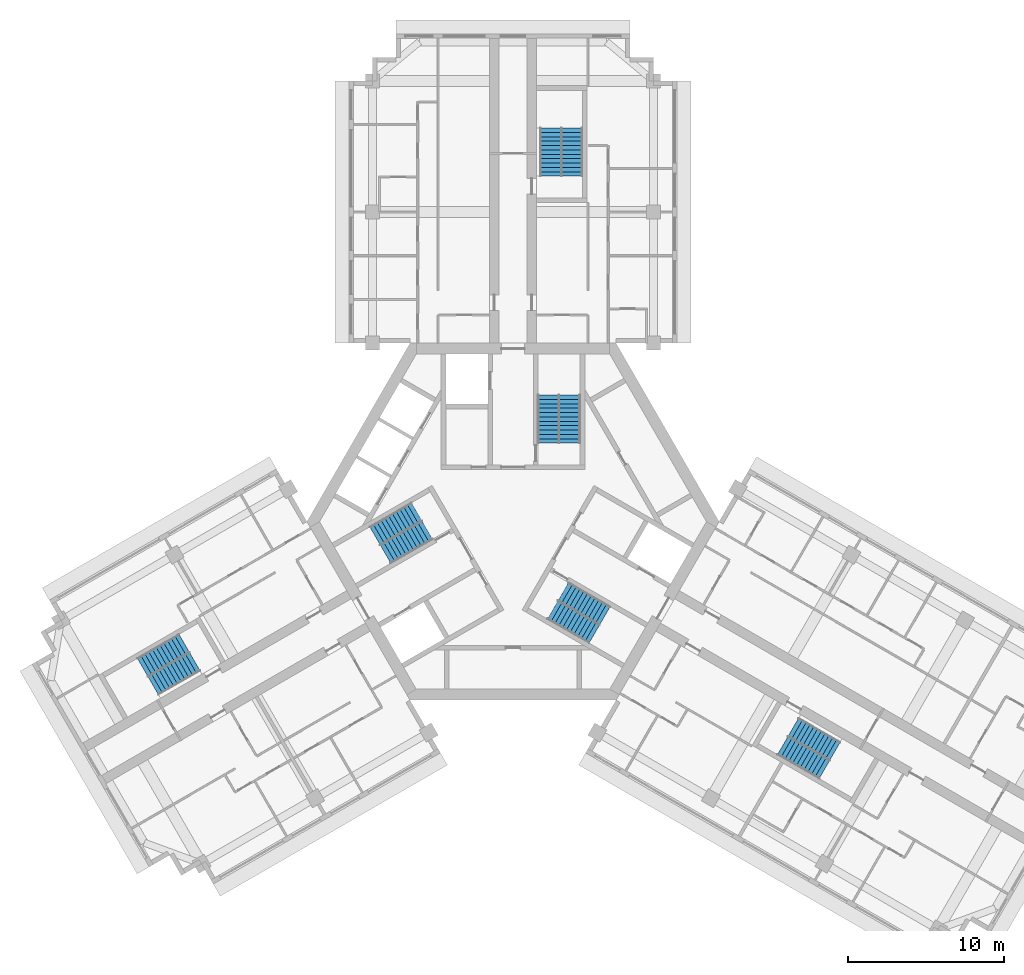
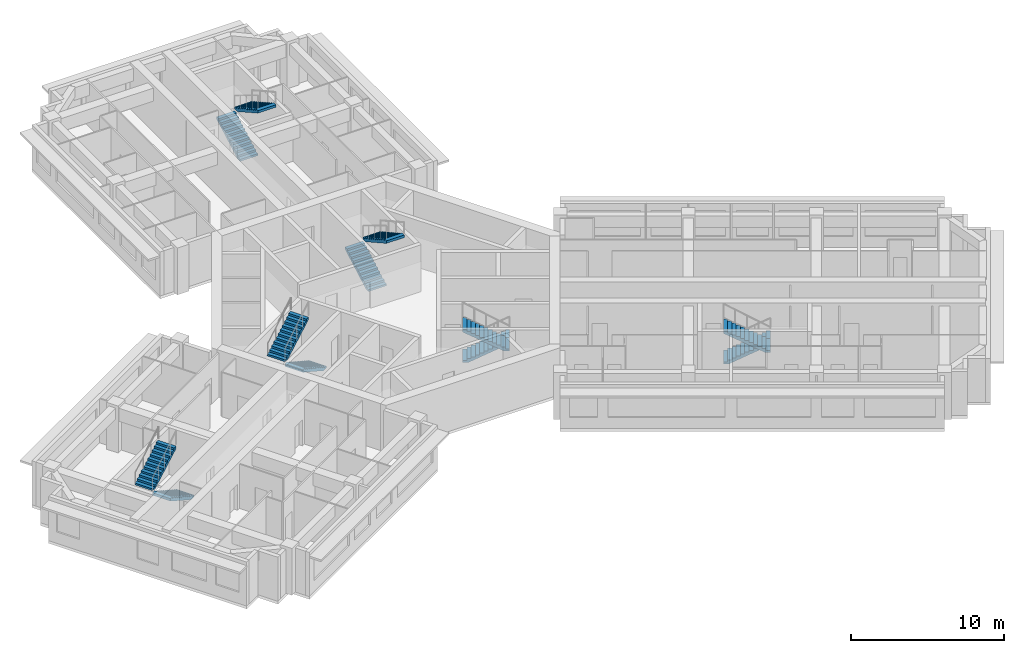
# One storey, part 9 of 10: 12 stair flights, 6 elements without a shape of their own.
"""IFC4 building model written with IfcOpenShell, lengths in metres."""

from ifc_helpers import new_model, si_unit, direction, frame, origin, place, context, subcontext, project, spatial, polyline, outline, extrude, material, type_object, element, aggregate, save


model = new_model("IFC4")

# Units and contexts
model_context = context("Model", 3, precision=1e-05, world=origin(), true_north=direction((0.0, 1.0)))
body_context = subcontext(model_context, "Body", "Model", "MODEL_VIEW")
ifc_project = project(units=[si_unit("LENGTHUNIT", "METRE"), si_unit("AREAUNIT", "SQUARE_METRE"), si_unit("VOLUMEUNIT", "CUBIC_METRE"), si_unit("PLANEANGLEUNIT", "RADIAN"), si_unit("MASSUNIT", "GRAM", prefix="KILO")], contexts=[model_context])

# Site, building, storey
site_placement = place(None, origin())
site = spatial("IfcSite", under=ifc_project, at=site_placement, CompositionType="ELEMENT")
building_placement = place(site_placement, origin())
building = spatial("IfcBuilding", under=site, at=building_placement, Name="Impinga Residences", CompositionType="ELEMENT")
storey_placement = place(building_placement, frame((0.0, 0.0, 233.5)))
storey = spatial("IfcBuildingStorey", under=building, at=storey_placement, Name="L58", CompositionType="ELEMENT", Elevation=233.5)

# Stair, stair flights
ifc_material = material(Name="Concrete C40/50", Category="concrete")
stair_type_1 = type_object("IfcStairType", Name="STR core stair 3750 storey, 24 risers", PredefinedType="HALF_TURN_STAIR", material=ifc_material)
stair_1_placement = place(storey_placement, origin())
stair_1 = element("IfcStair", 1, at=stair_1_placement, inside=storey, type_object=stair_type_1, Name="Stair ST1 L58", PredefinedType="HALF_TURN_STAIR")
stair_flight_type = type_object("IfcStairFlightType", Name="SF 12 risers of 156", PredefinedType="STRAIGHT", material=ifc_material)
stair_flight_1_placement = place(storey_placement, frame((2.27490234375, 5.030029296875, 0.0), z_axis=(0.0, 0.0, 1.0), x_axis=(0.0, 1.0, 0.0)))
stair_flight_1 = element("IfcStairFlight", 2, at=stair_flight_1_placement, type_object=stair_flight_type, Name="ST1 flight 1", NumberOfRisers=12, NumberOfTreads=11, PredefinedType="STRAIGHT", RiserHeight=0.15625, TreadLength=0.28, context=body_context, shape_type="SweptSolid", body=[
    extrude(outline(polyline([(0.0, 0.0), (0.0, 0.15625), (0.280029296875, 0.15625), (0.280029296875, 0.3125), (0.56005859375, 0.3125), (0.56005859375, 0.46875), (0.840087890625, 0.46875), (0.840087890625, 0.625), (1.1201171875, 0.625), (1.1201171875, 0.78125), (1.39990234375, 0.78125), (1.39990234375, 0.9375), (1.679931640625, 0.9375), (1.679931640625, 1.09375), (1.9599609375, 1.09375), (1.9599609375, 1.25), (2.239990234375, 1.25), (2.239990234375, 1.40625), (2.52001953125, 1.40625), (2.52001953125, 1.5625), (2.800048828125, 1.5625), (2.800048828125, 1.71875), (3.080078125, 1.71875), (3.080078125, 1.875), (3.080078125, 1.5126953125), (0.369140625, 0.0), (0.0, 0.0)])), frame((0.0, 0.675048828125, 0.0), z_axis=(0.0, -1.0, 0.0), x_axis=(1.0, 0.0, 0.0)), (0.0, 0.0, 1.0), 1.35009765625),
])
stair_flight_2_placement = place(storey_placement, frame((3.625, 8.110107421875, 1.875), z_axis=(0.0, 0.0, 1.0), x_axis=(0.0, -1.0, 0.0)))
stair_flight_2 = element("IfcStairFlight", 3, at=stair_flight_2_placement, type_object=stair_flight_type, Name="ST1 flight 2", NumberOfRisers=12, NumberOfTreads=11, PredefinedType="STRAIGHT", RiserHeight=0.15625, TreadLength=0.28, context=body_context, shape_type="SweptSolid", body=[
    extrude(outline(polyline([(0.0, 0.0), (0.0, 0.15625), (0.280029296875, 0.15625), (0.280029296875, 0.3125), (0.56005859375, 0.3125), (0.56005859375, 0.46875), (0.840087890625, 0.46875), (0.840087890625, 0.625), (1.1201171875, 0.625), (1.1201171875, 0.78125), (1.39990234375, 0.78125), (1.39990234375, 0.9375), (1.679931640625, 0.9375), (1.679931640625, 1.09375), (1.9599609375, 1.09375), (1.9599609375, 1.25), (2.239990234375, 1.25), (2.239990234375, 1.40625), (2.52001953125, 1.40625), (2.52001953125, 1.5625), (2.800048828125, 1.5625), (2.800048828125, 1.71875), (3.080078125, 1.71875), (3.080078125, 1.875), (3.080078125, 1.5126953125), (0.369140625, 0.0), (0.0, 0.0)])), frame((0.0, 0.675048828125, 0.0), z_axis=(0.0, -1.0, 0.0), x_axis=(1.0, 0.0, 0.0)), (0.0, 0.0, 1.0), 1.35009765625),
])
aggregate(stair_1, [stair_flight_1, stair_flight_2])

stair_2_placement = place(storey_placement, origin())
stair_2 = element("IfcStair", 4, at=stair_2_placement, inside=storey, type_object=stair_type_1, Name="Stair ST2 L58", PredefinedType="HALF_TURN_STAIR")
stair_flight_3_placement = place(storey_placement, frame((-5.49365234375, -0.544677734375, 0.0), z_axis=(0.0, 0.0, 1.0), x_axis=(-0.866025403784, -0.5, 0.0)))
stair_flight_3 = element("IfcStairFlight", 5, at=stair_flight_3_placement, type_object=stair_flight_type, Name="ST2 flight 1", NumberOfRisers=12, NumberOfTreads=11, PredefinedType="STRAIGHT", RiserHeight=0.15625, TreadLength=0.28, context=body_context, shape_type="SweptSolid", body=[
    extrude(outline(polyline([(0.0, 0.0), (0.0, 0.15625), (0.280029296875, 0.15625), (0.280029296875, 0.3125), (0.56005859375, 0.3125), (0.56005859375, 0.46875), (0.840087890625, 0.46875), (0.840087890625, 0.625), (1.1201171875, 0.625), (1.1201171875, 0.78125), (1.39990234375, 0.78125), (1.39990234375, 0.9375), (1.679931640625, 0.9375), (1.679931640625, 1.09375), (1.9599609375, 1.09375), (1.9599609375, 1.25), (2.239990234375, 1.25), (2.239990234375, 1.40625), (2.52001953125, 1.40625), (2.52001953125, 1.5625), (2.800048828125, 1.5625), (2.800048828125, 1.71875), (3.080078125, 1.71875), (3.080078125, 1.875), (3.080078125, 1.5126953125), (0.369140625, 0.0), (0.0, 0.0)])), frame((0.0, 0.675048828125, 0.0), z_axis=(0.0, -1.0, 0.0), x_axis=(1.0, 0.0, 0.0)), (0.0, 0.0, 1.0), 1.35009765625),
])
stair_flight_4_placement = place(storey_placement, frame((-8.8359375, -0.915771484375, 1.875), z_axis=(0.0, 0.0, 1.0), x_axis=(0.866025403784, 0.5, 0.0)))
stair_flight_4 = element("IfcStairFlight", 6, at=stair_flight_4_placement, type_object=stair_flight_type, Name="ST2 flight 2", NumberOfRisers=12, NumberOfTreads=11, PredefinedType="STRAIGHT", RiserHeight=0.15625, TreadLength=0.28, context=body_context, shape_type="SweptSolid", body=[
    extrude(outline(polyline([(0.0, 0.0), (0.0, 0.15625), (0.280029296875, 0.15625), (0.280029296875, 0.3125), (0.56005859375, 0.3125), (0.56005859375, 0.46875), (0.840087890625, 0.46875), (0.840087890625, 0.625), (1.1201171875, 0.625), (1.1201171875, 0.78125), (1.39990234375, 0.78125), (1.39990234375, 0.9375), (1.679931640625, 0.9375), (1.679931640625, 1.09375), (1.9599609375, 1.09375), (1.9599609375, 1.25), (2.239990234375, 1.25), (2.239990234375, 1.40625), (2.52001953125, 1.40625), (2.52001953125, 1.5625), (2.800048828125, 1.5625), (2.800048828125, 1.71875), (3.080078125, 1.71875), (3.080078125, 1.875), (3.080078125, 1.5126953125), (0.369140625, 0.0), (0.0, 0.0)])), frame((0.0, 0.675048828125, 0.0), z_axis=(0.0, -1.0, 0.0), x_axis=(1.0, 0.0, 0.0)), (0.0, 0.0, 1.0), 1.35009765625),
])
aggregate(stair_2, [stair_flight_3, stair_flight_4])

stair_3_placement = place(storey_placement, origin())
stair_3 = element("IfcStair", 7, at=stair_3_placement, inside=storey, type_object=stair_type_1, Name="Stair ST3 L58", PredefinedType="HALF_TURN_STAIR")
stair_flight_5_placement = place(storey_placement, frame((3.218505859375, -4.485107421875, 0.0), z_axis=(0.0, 0.0, 1.0), x_axis=(0.866025403784, -0.5, 0.0)))
stair_flight_5 = element("IfcStairFlight", 8, at=stair_flight_5_placement, type_object=stair_flight_type, Name="ST3 flight 1", NumberOfRisers=12, NumberOfTreads=11, PredefinedType="STRAIGHT", RiserHeight=0.15625, TreadLength=0.28, context=body_context, shape_type="SweptSolid", body=[
    extrude(outline(polyline([(0.0, 0.0), (0.0, 0.15625), (0.280029296875, 0.15625), (0.280029296875, 0.3125), (0.56005859375, 0.3125), (0.56005859375, 0.46875), (0.840087890625, 0.46875), (0.840087890625, 0.625), (1.1201171875, 0.625), (1.1201171875, 0.78125), (1.39990234375, 0.78125), (1.39990234375, 0.9375), (1.679931640625, 0.9375), (1.679931640625, 1.09375), (1.9599609375, 1.09375), (1.9599609375, 1.25), (2.239990234375, 1.25), (2.239990234375, 1.40625), (2.52001953125, 1.40625), (2.52001953125, 1.5625), (2.800048828125, 1.5625), (2.800048828125, 1.71875), (3.080078125, 1.71875), (3.080078125, 1.875), (3.080078125, 1.5126953125), (0.369140625, 0.0), (0.0, 0.0)])), frame((0.0, 0.675048828125, 0.0), z_axis=(0.0, -1.0, 0.0), x_axis=(1.0, 0.0, 0.0)), (0.0, 0.0, 1.0), 1.35009765625),
])
stair_flight_6_placement = place(storey_placement, frame((5.2109375, -7.1943359375, 1.875), z_axis=(0.0, 0.0, 1.0), x_axis=(-0.866025403784, 0.5, 0.0)))
stair_flight_6 = element("IfcStairFlight", 9, at=stair_flight_6_placement, type_object=stair_flight_type, Name="ST3 flight 2", NumberOfRisers=12, NumberOfTreads=11, PredefinedType="STRAIGHT", RiserHeight=0.15625, TreadLength=0.28, context=body_context, shape_type="SweptSolid", body=[
    extrude(outline(polyline([(0.0, 0.0), (0.0, 0.15625), (0.280029296875, 0.15625), (0.280029296875, 0.3125), (0.56005859375, 0.3125), (0.56005859375, 0.46875), (0.840087890625, 0.46875), (0.840087890625, 0.625), (1.1201171875, 0.625), (1.1201171875, 0.78125), (1.39990234375, 0.78125), (1.39990234375, 0.9375), (1.679931640625, 0.9375), (1.679931640625, 1.09375), (1.9599609375, 1.09375), (1.9599609375, 1.25), (2.239990234375, 1.25), (2.239990234375, 1.40625), (2.52001953125, 1.40625), (2.52001953125, 1.5625), (2.800048828125, 1.5625), (2.800048828125, 1.71875), (3.080078125, 1.71875), (3.080078125, 1.875), (3.080078125, 1.5126953125), (0.369140625, 0.0), (0.0, 0.0)])), frame((0.0, 0.675048828125, 0.0), z_axis=(0.0, -1.0, 0.0), x_axis=(1.0, 0.0, 0.0)), (0.0, 0.0, 1.0), 1.35009765625),
])
aggregate(stair_3, [stair_flight_5, stair_flight_6])

stair_type_2 = type_object("IfcStairType", Name="STR wing stair 3750 storey, 24 risers", PredefinedType="HALF_TURN_STAIR", material=ifc_material)
stair_4_placement = place(storey_placement, origin())
stair_4 = element("IfcStair", 10, at=stair_4_placement, inside=storey, type_object=stair_type_2, Name="Stair WS1 L58", PredefinedType="HALF_TURN_STAIR")
stair_flight_7_placement = place(storey_placement, frame((2.425048828125, 22.131591796875, 0.0), z_axis=(0.0, 0.0, 1.0), x_axis=(0.0, 1.0, 0.0)))
stair_flight_7 = element("IfcStairFlight", 11, at=stair_flight_7_placement, type_object=stair_flight_type, Name="WS1 flight 1", NumberOfRisers=12, NumberOfTreads=11, PredefinedType="STRAIGHT", RiserHeight=0.15625, TreadLength=0.28, context=body_context, shape_type="SweptSolid", body=[
    extrude(outline(polyline([(0.0, 0.0), (0.0, 0.15625), (0.280029296875, 0.15625), (0.280029296875, 0.3125), (0.56005859375, 0.3125), (0.56005859375, 0.46875), (0.840087890625, 0.46875), (0.840087890625, 0.625), (1.1201171875, 0.625), (1.1201171875, 0.78125), (1.39990234375, 0.78125), (1.39990234375, 0.9375), (1.679931640625, 0.9375), (1.679931640625, 1.09375), (1.9599609375, 1.09375), (1.9599609375, 1.25), (2.239990234375, 1.25), (2.239990234375, 1.40625), (2.52001953125, 1.40625), (2.52001953125, 1.5625), (2.800048828125, 1.5625), (2.800048828125, 1.71875), (3.080078125, 1.71875), (3.080078125, 1.875), (3.080078125, 1.5126953125), (0.369140625, 0.0), (0.0, 0.0)])), frame((0.0, 0.675048828125, 0.0), z_axis=(0.0, -1.0, 0.0), x_axis=(1.0, 0.0, 0.0)), (0.0, 0.0, 1.0), 1.35009765625),
])
stair_flight_8_placement = place(storey_placement, frame((3.77490234375, 25.21142578125, 1.875), z_axis=(0.0, 0.0, 1.0), x_axis=(0.0, -1.0, 0.0)))
stair_flight_8 = element("IfcStairFlight", 12, at=stair_flight_8_placement, type_object=stair_flight_type, Name="WS1 flight 2", NumberOfRisers=12, NumberOfTreads=11, PredefinedType="STRAIGHT", RiserHeight=0.15625, TreadLength=0.28, context=body_context, shape_type="SweptSolid", body=[
    extrude(outline(polyline([(0.0, 0.0), (0.0, 0.15625), (0.280029296875, 0.15625), (0.280029296875, 0.3125), (0.56005859375, 0.3125), (0.56005859375, 0.46875), (0.840087890625, 0.46875), (0.840087890625, 0.625), (1.1201171875, 0.625), (1.1201171875, 0.78125), (1.39990234375, 0.78125), (1.39990234375, 0.9375), (1.679931640625, 0.9375), (1.679931640625, 1.09375), (1.9599609375, 1.09375), (1.9599609375, 1.25), (2.239990234375, 1.25), (2.239990234375, 1.40625), (2.52001953125, 1.40625), (2.52001953125, 1.5625), (2.800048828125, 1.5625), (2.800048828125, 1.71875), (3.080078125, 1.71875), (3.080078125, 1.875), (3.080078125, 1.5126953125), (0.369140625, 0.0), (0.0, 0.0)])), frame((0.0, 0.675048828125, 0.0), z_axis=(0.0, -1.0, 0.0), x_axis=(1.0, 0.0, 0.0)), (0.0, 0.0, 1.0), 1.35009765625),
])
aggregate(stair_4, [stair_flight_7, stair_flight_8])

stair_5_placement = place(storey_placement, origin())
stair_5 = element("IfcStair", 13, at=stair_5_placement, inside=storey, type_object=stair_type_2, Name="Stair WS2 L58", PredefinedType="HALF_TURN_STAIR")
stair_flight_9_placement = place(storey_placement, frame((-20.37890625, -8.965576171875, 0.0), z_axis=(0.0, 0.0, 1.0), x_axis=(-0.866025403784, -0.5, 0.0)))
stair_flight_9 = element("IfcStairFlight", 14, at=stair_flight_9_placement, type_object=stair_flight_type, Name="WS2 flight 1", NumberOfRisers=12, NumberOfTreads=11, PredefinedType="STRAIGHT", RiserHeight=0.15625, TreadLength=0.28, context=body_context, shape_type="SweptSolid", body=[
    extrude(outline(polyline([(0.0, 0.0), (0.0, 0.15625), (0.280029296875, 0.15625), (0.280029296875, 0.3125), (0.56005859375, 0.3125), (0.56005859375, 0.46875), (0.840087890625, 0.46875), (0.840087890625, 0.625), (1.1201171875, 0.625), (1.1201171875, 0.78125), (1.39990234375, 0.78125), (1.39990234375, 0.9375), (1.679931640625, 0.9375), (1.679931640625, 1.09375), (1.9599609375, 1.09375), (1.9599609375, 1.25), (2.239990234375, 1.25), (2.239990234375, 1.40625), (2.52001953125, 1.40625), (2.52001953125, 1.5625), (2.800048828125, 1.5625), (2.800048828125, 1.71875), (3.080078125, 1.71875), (3.080078125, 1.875), (3.080078125, 1.5126953125), (0.369140625, 0.0), (0.0, 0.0)])), frame((0.0, 0.675048828125, 0.0), z_axis=(0.0, -1.0, 0.0), x_axis=(1.0, 0.0, 0.0)), (0.0, 0.0, 1.0), 1.35009765625),
])
stair_flight_10_placement = place(storey_placement, frame((-23.721435546875, -9.33642578125, 1.875), z_axis=(0.0, 0.0, 1.0), x_axis=(0.866025403784, 0.5, 0.0)))
stair_flight_10 = element("IfcStairFlight", 15, at=stair_flight_10_placement, type_object=stair_flight_type, Name="WS2 flight 2", NumberOfRisers=12, NumberOfTreads=11, PredefinedType="STRAIGHT", RiserHeight=0.15625, TreadLength=0.28, context=body_context, shape_type="SweptSolid", body=[
    extrude(outline(polyline([(0.0, 0.0), (0.0, 0.15625), (0.280029296875, 0.15625), (0.280029296875, 0.3125), (0.56005859375, 0.3125), (0.56005859375, 0.46875), (0.840087890625, 0.46875), (0.840087890625, 0.625), (1.1201171875, 0.625), (1.1201171875, 0.78125), (1.39990234375, 0.78125), (1.39990234375, 0.9375), (1.679931640625, 0.9375), (1.679931640625, 1.09375), (1.9599609375, 1.09375), (1.9599609375, 1.25), (2.239990234375, 1.25), (2.239990234375, 1.40625), (2.52001953125, 1.40625), (2.52001953125, 1.5625), (2.800048828125, 1.5625), (2.800048828125, 1.71875), (3.080078125, 1.71875), (3.080078125, 1.875), (3.080078125, 1.5126953125), (0.369140625, 0.0), (0.0, 0.0)])), frame((0.0, 0.675048828125, 0.0), z_axis=(0.0, -1.0, 0.0), x_axis=(1.0, 0.0, 0.0)), (0.0, 0.0, 1.0), 1.35009765625),
])
aggregate(stair_5, [stair_flight_9, stair_flight_10])

stair_6_placement = place(storey_placement, origin())
stair_6 = element("IfcStair", 16, at=stair_6_placement, inside=storey, type_object=stair_type_2, Name="Stair WS3 L58", PredefinedType="HALF_TURN_STAIR")
stair_flight_11_placement = place(storey_placement, frame((17.953857421875, -13.165771484375, 0.0), z_axis=(0.0, 0.0, 1.0), x_axis=(0.866025403784, -0.5, 0.0)))
stair_flight_11 = element("IfcStairFlight", 17, at=stair_flight_11_placement, type_object=stair_flight_type, Name="WS3 flight 1", NumberOfRisers=12, NumberOfTreads=11, PredefinedType="STRAIGHT", RiserHeight=0.15625, TreadLength=0.28, context=body_context, shape_type="SweptSolid", body=[
    extrude(outline(polyline([(0.0, 0.0), (0.0, 0.15625), (0.280029296875, 0.15625), (0.280029296875, 0.3125), (0.56005859375, 0.3125), (0.56005859375, 0.46875), (0.840087890625, 0.46875), (0.840087890625, 0.625), (1.1201171875, 0.625), (1.1201171875, 0.78125), (1.39990234375, 0.78125), (1.39990234375, 0.9375), (1.679931640625, 0.9375), (1.679931640625, 1.09375), (1.9599609375, 1.09375), (1.9599609375, 1.25), (2.239990234375, 1.25), (2.239990234375, 1.40625), (2.52001953125, 1.40625), (2.52001953125, 1.5625), (2.800048828125, 1.5625), (2.800048828125, 1.71875), (3.080078125, 1.71875), (3.080078125, 1.875), (3.080078125, 1.5126953125), (0.369140625, 0.0), (0.0, 0.0)])), frame((0.0, 0.675048828125, 0.0), z_axis=(0.0, -1.0, 0.0), x_axis=(1.0, 0.0, 0.0)), (0.0, 0.0, 1.0), 1.35009765625),
])
stair_flight_12_placement = place(storey_placement, frame((19.9462890625, -15.875, 1.875), z_axis=(0.0, 0.0, 1.0), x_axis=(-0.866025403784, 0.5, 0.0)))
stair_flight_12 = element("IfcStairFlight", 18, at=stair_flight_12_placement, type_object=stair_flight_type, Name="WS3 flight 2", NumberOfRisers=12, NumberOfTreads=11, PredefinedType="STRAIGHT", RiserHeight=0.15625, TreadLength=0.28, context=body_context, shape_type="SweptSolid", body=[
    extrude(outline(polyline([(0.0, 0.0), (0.0, 0.15625), (0.280029296875, 0.15625), (0.280029296875, 0.3125), (0.56005859375, 0.3125), (0.56005859375, 0.46875), (0.840087890625, 0.46875), (0.840087890625, 0.625), (1.1201171875, 0.625), (1.1201171875, 0.78125), (1.39990234375, 0.78125), (1.39990234375, 0.9375), (1.679931640625, 0.9375), (1.679931640625, 1.09375), (1.9599609375, 1.09375), (1.9599609375, 1.25), (2.239990234375, 1.25), (2.239990234375, 1.40625), (2.52001953125, 1.40625), (2.52001953125, 1.5625), (2.800048828125, 1.5625), (2.800048828125, 1.71875), (3.080078125, 1.71875), (3.080078125, 1.875), (3.080078125, 1.5126953125), (0.369140625, 0.0), (0.0, 0.0)])), frame((0.0, 0.675048828125, 0.0), z_axis=(0.0, -1.0, 0.0), x_axis=(1.0, 0.0, 0.0)), (0.0, 0.0, 1.0), 1.35009765625),
])
aggregate(stair_6, [stair_flight_11, stair_flight_12])

save(model, "model.ifc")
